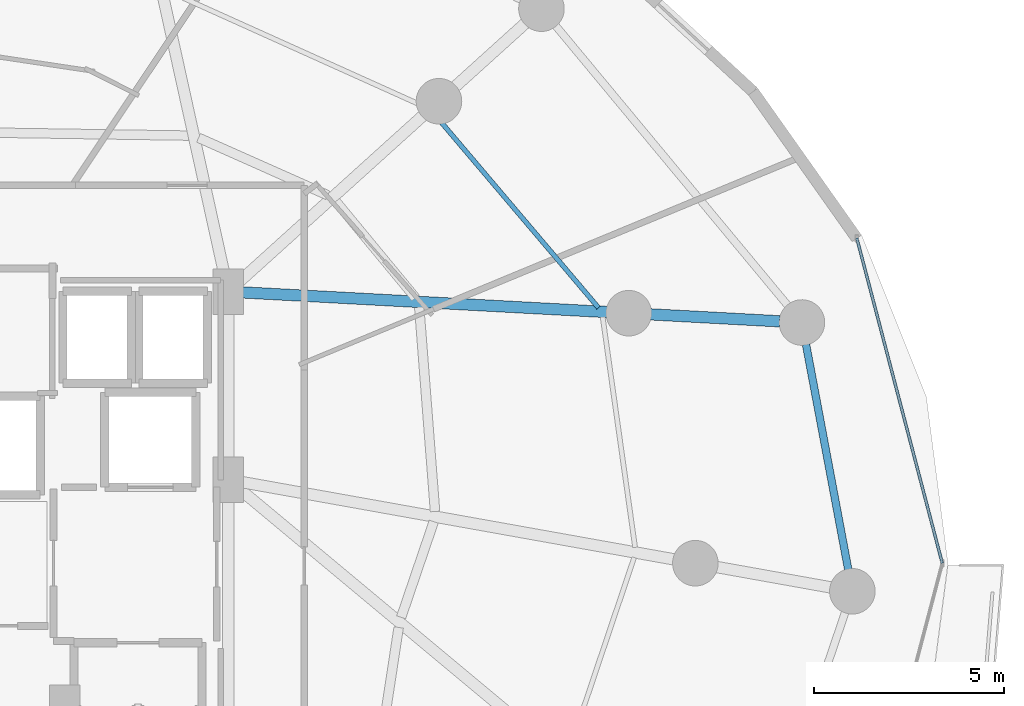
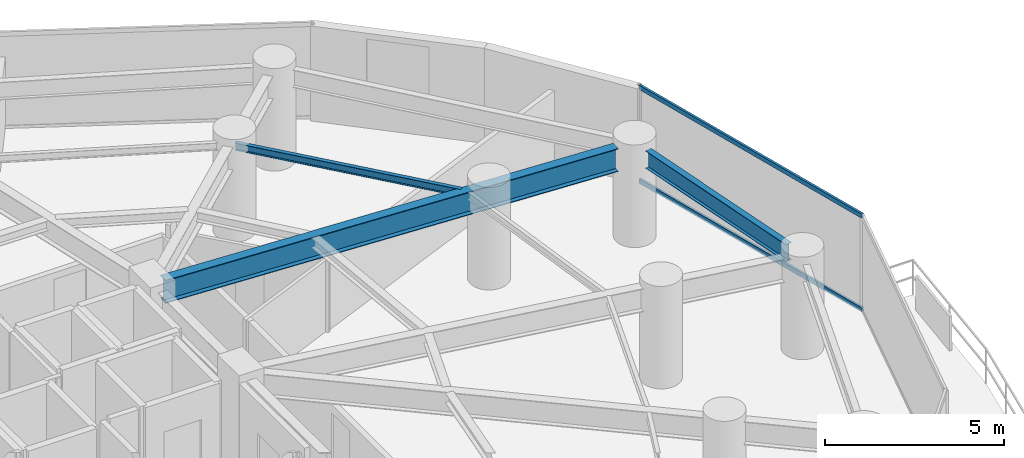
# One storey, part 17 of 35: 3 beams, 2 members, 1 element without a shape of its own.
"""IFC4 building model written with IfcOpenShell, lengths in metres."""

from ifc_helpers import new_model, si_unit, direction, frame, origin, origin_2d, place, context, subcontext, project, spatial, hollow_rectangle, i_section, extrude, material, material_profile, profile_set, type_object, element, aggregate, save


model = new_model("IFC4")

# Units and contexts
model_context = context("Model", 3, precision=1e-05, world=origin(), true_north=direction((0.0, 1.0)))
body_context = subcontext(model_context, "Body", "Model", "MODEL_VIEW")
ifc_project = project(units=[si_unit("LENGTHUNIT", "METRE"), si_unit("AREAUNIT", "SQUARE_METRE"), si_unit("VOLUMEUNIT", "CUBIC_METRE"), si_unit("PLANEANGLEUNIT", "RADIAN"), si_unit("MASSUNIT", "GRAM", prefix="KILO")], contexts=[model_context])

# Site, building, storey
site_placement = place(None, origin())
site = spatial("IfcSite", under=ifc_project, at=site_placement, CompositionType="ELEMENT")
building_placement = place(site_placement, origin())
building = spatial("IfcBuilding", under=site, at=building_placement, Name="Vorneva Point Tower", CompositionType="ELEMENT")
storey_placement = place(building_placement, frame((0.0, 0.0, 52.0)))
storey = spatial("IfcBuildingStorey", under=building, at=storey_placement, Name="L13", CompositionType="ELEMENT", Elevation=52.0)

# Beams
ifc_material_1 = material(Name="Steel S355", Category="steel")
ifc_material_profile_1 = material_profile(ifc_material_1, i_section(OverallWidth=0.300048828125, OverallDepth=0.7880859375, WebThickness=0.014404296875, FlangeThickness=0.02197265625, at=origin_2d()), Name="80Sh1")
ifc_profile_set_1 = profile_set([ifc_material_profile_1], Name="Steel S355")
beam_type_1 = type_object("IfcBeamType", Name="BM-GRD-80Sh1", PredefinedType="USERDEFINED", material=ifc_profile_set_1)
beam_1_placement = place(storey_placement, frame((63.267333984375, 32.368408203125, 2.845947265625), z_axis=(-0.998554321193, 0.053751908115, 0.0), x_axis=(-0.053751908115, -0.998554321193, 0.0)))
element("IfcBeam", 1, at=beam_1_placement, inside=storey, type_object=beam_type_1, Name="L13 Radial Primary Girder 02", ObjectType="GIRDER", PredefinedType="USERDEFINED", context=body_context, shape_type="SweptSolid", body=[
    extrude(i_section(OverallWidth=0.300048828125, OverallDepth=0.7880859375, WebThickness=0.014404296875, FlangeThickness=0.02197265625, at=origin_2d()), origin(), (0.0, 0.0, 1.0), 14.1982421875),
])
ifc_material_profile_2 = material_profile(ifc_material_1, i_section(OverallWidth=0.1240234375, OverallDepth=0.248046875, WebThickness=0.0048828125, FlangeThickness=0.008056640625, at=origin_2d()), Name="25B1")
ifc_profile_set_2 = profile_set([ifc_material_profile_2], Name="Steel S355")
beam_type_2 = type_object("IfcBeamType", Name="BM-JST-25B1", PredefinedType="JOIST", material=ifc_profile_set_2)
beam_2_placement = place(storey_placement, frame((58.49951171875, 32.7255859375, 3.115966796875), z_axis=(-0.646779506013, 0.762677042136, 0.0), x_axis=(-0.762677042136, -0.646779506013, 0.0)))
element("IfcBeam", 2, at=beam_2_placement, inside=storey, type_object=beam_type_2, Name="L13 Secondary Floor Beam 1.02", PredefinedType="JOIST", context=body_context, shape_type="SweptSolid", body=[
    extrude(i_section(OverallWidth=0.1240234375, OverallDepth=0.248046875, WebThickness=0.0048828125, FlangeThickness=0.008056640625, at=origin_2d()), origin(), (0.0, 0.0, 1.0), 6.715576171875),
])
ifc_material_profile_3 = material_profile(ifc_material_1, i_section(OverallWidth=0.198974609375, OverallDepth=0.595947265625, WebThickness=0.010009765625, FlangeThickness=0.014892578125, at=origin_2d()), Name="60B1")
ifc_profile_set_3 = profile_set([ifc_material_profile_3], Name="Steel S355")
beam_type_3 = type_object("IfcBeamType", Name="BM-SPN-60B1", PredefinedType="SPANDREL", material=ifc_profile_set_3)
beam_3_placement = place(storey_placement, frame((65.07421875, 25.8359375, 2.94189453125), z_axis=(-0.184405887522, 0.982850176094, 0.0), x_axis=(-0.982850176094, -0.184405887522, 0.0)))
element("IfcBeam", 3, at=beam_3_placement, inside=storey, type_object=beam_type_3, Name="L13 Perimeter Spandrel Ring Beam 01", PredefinedType="SPANDREL", context=body_context, shape_type="SweptSolid", body=[
    extrude(i_section(OverallWidth=0.198974609375, OverallDepth=0.595947265625, WebThickness=0.010009765625, FlangeThickness=0.014892578125, at=origin_2d()), origin(), (0.0, 0.0, 1.0), 6.029296875),
])

# Curtain wall, members
ifc_material_2 = material(Name="Pale anodised aluminium", Category="aluminium")
curtain_wall_type = type_object("IfcCurtainWallType", Name="CW-HTL-SYS", PredefinedType="NOTDEFINED", material=ifc_material_2)
curtain_wall_placement = place(storey_placement, origin())
curtain_wall = element("IfcCurtainWall", 4, at=curtain_wall_placement, inside=storey, type_object=curtain_wall_type, Name="L13 Unitised Curtain Wall CW-L13-R01", PredefinedType="NOTDEFINED")
ifc_material_profile_4 = material_profile(ifc_material_2, hollow_rectangle(XDim=0.074951171875, YDim=0.14990234375, WallThickness=0.00390625, at=origin_2d()), Name="AL-TRN 150x75x4")
ifc_profile_set_4 = profile_set([ifc_material_profile_4], Name="Pale anodised aluminium")
member_type = type_object("IfcMemberType", Name="CW-TRN-150", PredefinedType="USERDEFINED", material=ifc_profile_set_4)
member_1_placement = place(storey_placement, frame((67.550048828125, 26.0, 0.02001953125), z_axis=(-0.254358772746, 0.967109928978, 0.0), x_axis=(-0.967109928978, -0.254358772746, 0.0)))
member_1 = element("IfcMember", 5, at=member_1_placement, type_object=member_type, Name="CW-L13-R01 Transom 04.1", ObjectType="TRANSOM", PredefinedType="USERDEFINED", context=body_context, shape_type="SweptSolid", body=[
    extrude(hollow_rectangle(XDim=0.074951171875, YDim=0.14990234375, WallThickness=0.00390625, at=origin_2d()), origin(), (0.0, 0.0, 1.0), 8.84375),
])
member_2_placement = place(storey_placement, frame((67.550048828125, 26.0, 3.219970703125), z_axis=(-0.254358772746, 0.967109928978, 0.0), x_axis=(-0.967109928978, -0.254358772746, 0.0)))
member_2 = element("IfcMember", 6, at=member_2_placement, type_object=member_type, Name="CW-L13-R01 Transom 04.2", ObjectType="TRANSOM", PredefinedType="USERDEFINED", context=body_context, shape_type="SweptSolid", body=[
    extrude(hollow_rectangle(XDim=0.074951171875, YDim=0.14990234375, WallThickness=0.00390625, at=origin_2d()), origin(), (0.0, 0.0, 1.0), 8.84375),
])
aggregate(curtain_wall, [member_1, member_2])

save(model, "model.ifc")
